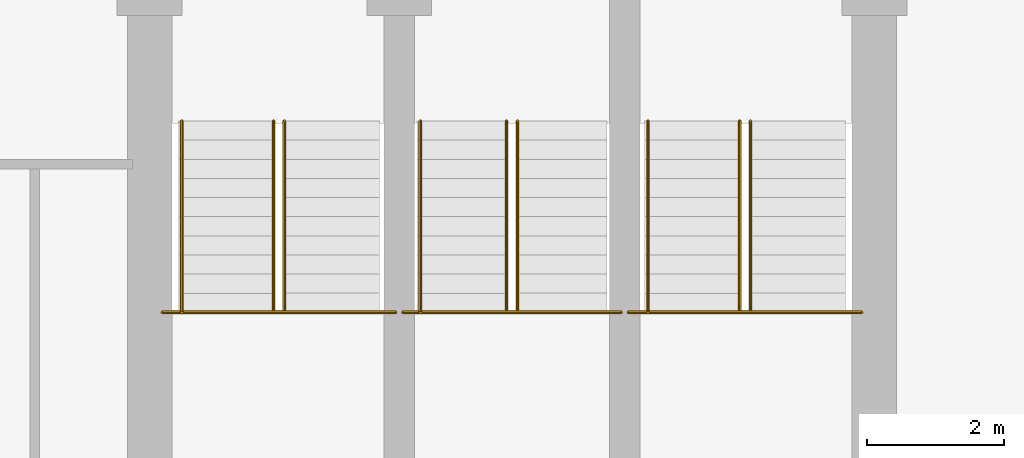
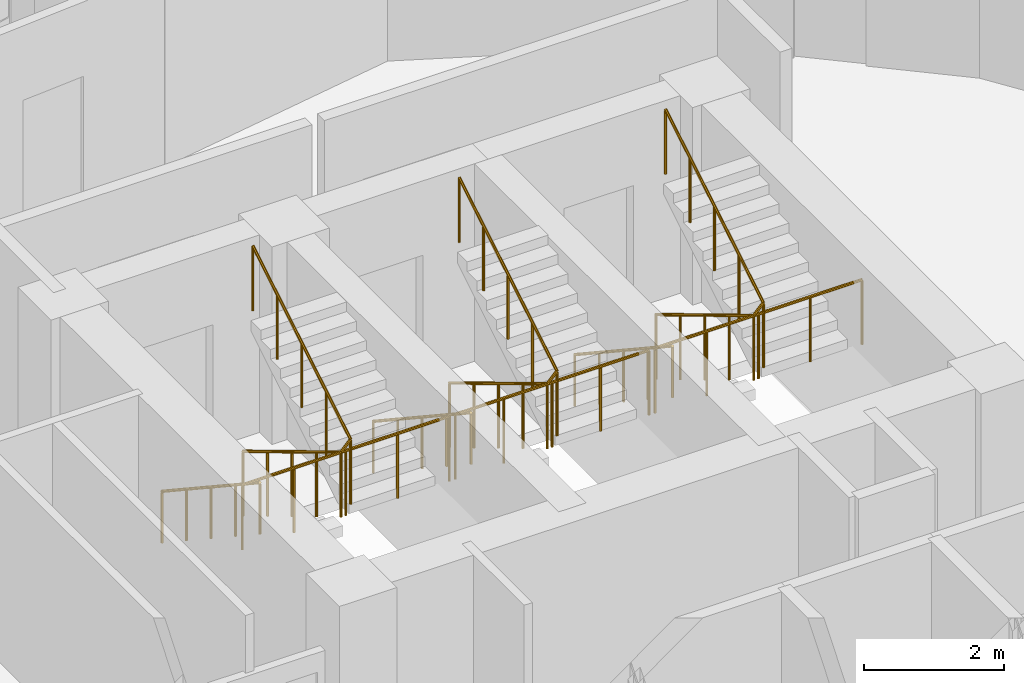
# One storey, part 26 of 26: 9 railings.
"""IFC4 building model written with IfcOpenShell, lengths in metres."""

from ifc_helpers import new_model, si_unit, direction, frame, origin, place, context, subcontext, project, spatial, polyline, outline, extrude, material, type_object, element, save


model = new_model("IFC4")

# Units and contexts
model_context = context("Model", 3, precision=1e-05, world=origin(), true_north=direction((0.0, 1.0)))
body_context = subcontext(model_context, "Body", "Model", "MODEL_VIEW")
ifc_project = project(units=[si_unit("LENGTHUNIT", "METRE"), si_unit("AREAUNIT", "SQUARE_METRE"), si_unit("VOLUMEUNIT", "CUBIC_METRE"), si_unit("PLANEANGLEUNIT", "RADIAN"), si_unit("MASSUNIT", "GRAM", prefix="KILO")], contexts=[model_context])

# Site, building, storey
site_placement = place(None, origin())
site = spatial("IfcSite", under=ifc_project, at=site_placement, CompositionType="ELEMENT")
building_placement = place(site_placement, origin())
building = spatial("IfcBuilding", under=site, at=building_placement, Name="Nuhasar Tower", CompositionType="ELEMENT")
storey_placement = place(building_placement, frame((0.0, 0.0, 181.14990234375)))
storey = spatial("IfcBuildingStorey", under=building, at=storey_placement, Name="L44", CompositionType="ELEMENT", Elevation=181.14990234375)

# Railings
ifc_material_1 = material(Name="Steel S355", Category="steel")
railing_type_1 = type_object("IfcRailingType", Name="RLG-STAIR-GUARD-1150", PredefinedType="GUARDRAIL", material=ifc_material_1)
railing_1_placement = place(storey_placement, frame((33.8798828125, 32.485107421875, 1.85009765625)))
element("IfcRailing", 1, at=railing_1_placement, inside=storey, type_object=railing_type_1, Name="L44 Stair ST-01 Guardrail LND", PredefinedType="GUARDRAIL", context=body_context, shape_type="SweptSolid", body=[
    extrude(outline(polyline([(0.024169921875, 0.0), (0.01708984375, 0.01708984375), (0.0, 0.024169921875), (-0.01708984375, 0.01708984375), (-0.024169921875, 0.0), (-0.01708984375, -0.01708984375), (0.0, -0.024169921875), (0.01708984375, -0.01708984375), (0.024169921875, 0.0)])), frame((0.0, 0.0, 1.1259765625), z_axis=(1.0, 0.0, 0.0), x_axis=(0.0, 1.0, 0.0)), (0.0, 0.0, 1.0), 3.420166015625),
    extrude(outline(polyline([(0.02099609375, 0.0), (0.014892578125, 0.014892578125), (0.0, 0.02099609375), (-0.014892578125, 0.014892578125), (-0.02099609375, 0.0), (-0.014892578125, -0.014892578125), (0.0, -0.02099609375), (0.014892578125, -0.014892578125), (0.02099609375, 0.0)])), origin(), (0.0, 0.0, 1.0), 1.101806640625),
    extrude(outline(polyline([(0.02099609375, 0.0), (0.014892578125, 0.014892578125), (0.0, 0.02099609375), (-0.014892578125, 0.014892578125), (-0.02099609375, 0.0), (-0.014892578125, -0.014892578125), (0.0, -0.02099609375), (0.014892578125, -0.014892578125), (0.02099609375, 0.0)])), frame((0.85498046875, 0.0, 0.0)), (0.0, 0.0, 1.0), 1.101806640625),
    extrude(outline(polyline([(0.02099609375, 0.0), (0.014892578125, 0.014892578125), (0.0, 0.02099609375), (-0.014892578125, 0.014892578125), (-0.02099609375, 0.0), (-0.014892578125, -0.014892578125), (0.0, -0.02099609375), (0.014892578125, -0.014892578125), (0.02099609375, 0.0)])), frame((1.7099609375, 0.0, 0.0)), (0.0, 0.0, 1.0), 1.101806640625),
    extrude(outline(polyline([(0.02099609375, 0.0), (0.014892578125, 0.014892578125), (0.0, 0.02099609375), (-0.014892578125, 0.014892578125), (-0.02099609375, 0.0), (-0.014892578125, -0.014892578125), (0.0, -0.02099609375), (0.014892578125, -0.014892578125), (0.02099609375, 0.0)])), frame((2.565185546875, 0.0, 0.0)), (0.0, 0.0, 1.0), 1.101806640625),
    extrude(outline(polyline([(0.02099609375, 0.0), (0.014892578125, 0.014892578125), (0.0, 0.02099609375), (-0.014892578125, 0.014892578125), (-0.02099609375, 0.0), (-0.014892578125, -0.014892578125), (0.0, -0.02099609375), (0.014892578125, -0.014892578125), (0.02099609375, 0.0)])), frame((3.420166015625, 0.0, 0.0)), (0.0, 0.0, 1.0), 1.101806640625),
])
railing_2_placement = place(storey_placement, frame((35.510009765625, 35.284912109375, 0.168212890625)))
element("IfcRailing", 2, at=railing_2_placement, inside=storey, type_object=railing_type_1, Name="L44 Stair ST-01 Guardrail SLT", PredefinedType="GUARDRAIL", context=body_context, shape_type="SweptSolid", body=[
    extrude(outline(polyline([(0.024169921875, 0.0), (0.01708984375, 0.01708984375), (0.0, 0.024169921875), (-0.01708984375, 0.01708984375), (-0.024169921875, 0.0), (-0.01708984375, -0.01708984375), (0.0, -0.024169921875), (0.01708984375, -0.01708984375), (0.024169921875, 0.0)])), frame((0.0, 0.0, 1.1259765625), z_axis=(0.0, -0.857222391501, 0.514946377315), x_axis=(1.0, 0.0, 0.0)), (0.0, 0.0, 1.0), 3.26611328125),
    extrude(outline(polyline([(0.024169921875, 0.0), (0.01708984375, 0.01708984375), (0.0, 0.024169921875), (-0.01708984375, 0.01708984375), (-0.024169921875, 0.0), (-0.01708984375, -0.01708984375), (0.0, -0.024169921875), (0.01708984375, -0.01708984375), (0.024169921875, 0.0)])), frame((0.0, -2.7998046875, 2.8076171875), z_axis=(0.689523729023, 0.0, 0.72426309247), x_axis=(0.0, 1.0, 0.0)), (0.0, 0.0, 1.0), 0.23193359375),
    extrude(outline(polyline([(0.024169921875, 0.0), (0.01708984375, 0.01708984375), (0.0, 0.024169921875), (-0.01708984375, 0.01708984375), (-0.024169921875, 0.0), (-0.01708984375, -0.01708984375), (0.0, -0.024169921875), (0.01708984375, -0.01708984375), (0.024169921875, 0.0)])), frame((0.159912109375, -2.7998046875, 2.9755859375), z_axis=(0.0, 0.857189395008, 0.515001302023), x_axis=(-1.0, 0.0, 0.0)), (0.0, 0.0, 1.0), 3.266357421875),
    extrude(outline(polyline([(0.02099609375, 0.0), (0.014892578125, 0.014892578125), (0.0, 0.02099609375), (-0.014892578125, 0.014892578125), (-0.02099609375, 0.0), (-0.014892578125, -0.014892578125), (0.0, -0.02099609375), (0.014892578125, -0.014892578125), (0.02099609375, 0.0)])), origin(), (0.0, 0.0, 1.0), 1.101806640625),
    extrude(outline(polyline([(0.02099609375, 0.0), (0.014892578125, 0.014892578125), (0.0, 0.02099609375), (-0.014892578125, 0.014892578125), (-0.02099609375, 0.0), (-0.014892578125, -0.014892578125), (0.0, -0.02099609375), (0.014892578125, -0.014892578125), (0.02099609375, 0.0)])), frame((0.0, -0.699951171875, 0.42041015625)), (0.0, 0.0, 1.0), 1.101806640625),
    extrude(outline(polyline([(0.02099609375, 0.0), (0.014892578125, 0.014892578125), (0.0, 0.02099609375), (-0.014892578125, 0.014892578125), (-0.02099609375, 0.0), (-0.014892578125, -0.014892578125), (0.0, -0.02099609375), (0.014892578125, -0.014892578125), (0.02099609375, 0.0)])), frame((0.0, -1.39990234375, 0.8408203125)), (0.0, 0.0, 1.0), 1.101806640625),
    extrude(outline(polyline([(0.02099609375, 0.0), (0.014892578125, 0.014892578125), (0.0, 0.02099609375), (-0.014892578125, 0.014892578125), (-0.02099609375, 0.0), (-0.014892578125, -0.014892578125), (0.0, -0.02099609375), (0.014892578125, -0.014892578125), (0.02099609375, 0.0)])), frame((0.0, -2.099853515625, 1.261474609375)), (0.0, 0.0, 1.0), 1.101806640625),
    extrude(outline(polyline([(0.02099609375, 0.0), (0.014892578125, 0.014892578125), (0.0, 0.02099609375), (-0.014892578125, 0.014892578125), (-0.02099609375, 0.0), (-0.014892578125, -0.014892578125), (0.0, -0.02099609375), (0.014892578125, -0.014892578125), (0.02099609375, 0.0)])), frame((0.0, -2.7998046875, 1.681884765625)), (0.0, 0.0, 1.0), 1.101806640625),
    extrude(outline(polyline([(0.02099609375, 0.0), (0.014892578125, 0.014892578125), (0.0, 0.02099609375), (-0.014892578125, 0.014892578125), (-0.02099609375, 0.0), (-0.014892578125, -0.014892578125), (0.0, -0.02099609375), (0.014892578125, -0.014892578125), (0.02099609375, 0.0)])), frame((0.159912109375, -2.7998046875, 1.849853515625)), (0.0, 0.0, 1.0), 1.101806640625),
    extrude(outline(polyline([(0.02099609375, 0.0), (0.014892578125, 0.014892578125), (0.0, 0.02099609375), (-0.014892578125, 0.014892578125), (-0.02099609375, 0.0), (-0.014892578125, -0.014892578125), (0.0, -0.02099609375), (0.014892578125, -0.014892578125), (0.02099609375, 0.0)])), frame((0.159912109375, -2.099853515625, 2.2705078125)), (0.0, 0.0, 1.0), 1.101806640625),
    extrude(outline(polyline([(0.02099609375, 0.0), (0.014892578125, 0.014892578125), (0.0, 0.02099609375), (-0.014892578125, 0.014892578125), (-0.02099609375, 0.0), (-0.014892578125, -0.014892578125), (0.0, -0.02099609375), (0.014892578125, -0.014892578125), (0.02099609375, 0.0)])), frame((0.159912109375, -1.39990234375, 2.69091796875)), (0.0, 0.0, 1.0), 1.101806640625),
    extrude(outline(polyline([(0.02099609375, 0.0), (0.014892578125, 0.014892578125), (0.0, 0.02099609375), (-0.014892578125, 0.014892578125), (-0.02099609375, 0.0), (-0.014892578125, -0.014892578125), (0.0, -0.02099609375), (0.014892578125, -0.014892578125), (0.02099609375, 0.0)])), frame((0.159912109375, -0.699951171875, 3.111328125)), (0.0, 0.0, 1.0), 1.101806640625),
    extrude(outline(polyline([(0.02099609375, 0.0), (0.014892578125, 0.014892578125), (0.0, 0.02099609375), (-0.014892578125, 0.014892578125), (-0.02099609375, 0.0), (-0.014892578125, -0.014892578125), (0.0, -0.02099609375), (0.014892578125, -0.014892578125), (0.02099609375, 0.0)])), frame((0.159912109375, 0.0, 3.531982421875)), (0.0, 0.0, 1.0), 1.101806640625),
])
railing_3_placement = place(storey_placement, frame((37.39990234375, 32.485107421875, 1.85009765625)))
element("IfcRailing", 3, at=railing_3_placement, inside=storey, type_object=railing_type_1, Name="L44 Stair ST-03 Guardrail LND", PredefinedType="GUARDRAIL", context=body_context, shape_type="SweptSolid", body=[
    extrude(outline(polyline([(0.024169921875, 0.0), (0.01708984375, 0.01708984375), (0.0, 0.024169921875), (-0.01708984375, 0.01708984375), (-0.024169921875, 0.0), (-0.01708984375, -0.01708984375), (0.0, -0.024169921875), (0.01708984375, -0.01708984375), (0.024169921875, 0.0)])), frame((0.0, 0.0, 1.1259765625), z_axis=(1.0, 0.0, 0.0), x_axis=(0.0, 1.0, 0.0)), (0.0, 0.0, 1.0), 3.2001953125),
    extrude(outline(polyline([(0.02099609375, 0.0), (0.014892578125, 0.014892578125), (0.0, 0.02099609375), (-0.014892578125, 0.014892578125), (-0.02099609375, 0.0), (-0.014892578125, -0.014892578125), (0.0, -0.02099609375), (0.014892578125, -0.014892578125), (0.02099609375, 0.0)])), origin(), (0.0, 0.0, 1.0), 1.101806640625),
    extrude(outline(polyline([(0.02099609375, 0.0), (0.014892578125, 0.014892578125), (0.0, 0.02099609375), (-0.014892578125, 0.014892578125), (-0.02099609375, 0.0), (-0.014892578125, -0.014892578125), (0.0, -0.02099609375), (0.014892578125, -0.014892578125), (0.02099609375, 0.0)])), frame((0.800048828125, 0.0, 0.0)), (0.0, 0.0, 1.0), 1.101806640625),
    extrude(outline(polyline([(0.02099609375, 0.0), (0.014892578125, 0.014892578125), (0.0, 0.02099609375), (-0.014892578125, 0.014892578125), (-0.02099609375, 0.0), (-0.014892578125, -0.014892578125), (0.0, -0.02099609375), (0.014892578125, -0.014892578125), (0.02099609375, 0.0)])), frame((1.60009765625, 0.0, 0.0)), (0.0, 0.0, 1.0), 1.101806640625),
    extrude(outline(polyline([(0.02099609375, 0.0), (0.014892578125, 0.014892578125), (0.0, 0.02099609375), (-0.014892578125, 0.014892578125), (-0.02099609375, 0.0), (-0.014892578125, -0.014892578125), (0.0, -0.02099609375), (0.014892578125, -0.014892578125), (0.02099609375, 0.0)])), frame((2.400146484375, 0.0, 0.0)), (0.0, 0.0, 1.0), 1.101806640625),
    extrude(outline(polyline([(0.02099609375, 0.0), (0.014892578125, 0.014892578125), (0.0, 0.02099609375), (-0.014892578125, 0.014892578125), (-0.02099609375, 0.0), (-0.014892578125, -0.014892578125), (0.0, -0.02099609375), (0.014892578125, -0.014892578125), (0.02099609375, 0.0)])), frame((3.2001953125, 0.0, 0.0)), (0.0, 0.0, 1.0), 1.101806640625),
])
railing_4_placement = place(storey_placement, frame((38.919921875, 35.284912109375, 0.168212890625)))
element("IfcRailing", 4, at=railing_4_placement, inside=storey, type_object=railing_type_1, Name="L44 Stair ST-03 Guardrail SLT", PredefinedType="GUARDRAIL", context=body_context, shape_type="SweptSolid", body=[
    extrude(outline(polyline([(0.024169921875, 0.0), (0.01708984375, 0.01708984375), (0.0, 0.024169921875), (-0.01708984375, 0.01708984375), (-0.024169921875, 0.0), (-0.01708984375, -0.01708984375), (0.0, -0.024169921875), (0.01708984375, -0.01708984375), (0.024169921875, 0.0)])), frame((0.0, 0.0, 1.1259765625), z_axis=(0.0, -0.857222391501, 0.514946377315), x_axis=(1.0, 0.0, 0.0)), (0.0, 0.0, 1.0), 3.26611328125),
    extrude(outline(polyline([(0.024169921875, 0.0), (0.01708984375, 0.01708984375), (0.0, 0.024169921875), (-0.01708984375, 0.01708984375), (-0.024169921875, 0.0), (-0.01708984375, -0.01708984375), (0.0, -0.024169921875), (0.01708984375, -0.01708984375), (0.024169921875, 0.0)])), frame((0.0, -2.7998046875, 2.8076171875), z_axis=(0.690075333573, 0.0, 0.723737544967), x_axis=(0.0, 1.0, 0.0)), (0.0, 0.0, 1.0), 0.232177734375),
    extrude(outline(polyline([(0.024169921875, 0.0), (0.01708984375, 0.01708984375), (0.0, 0.024169921875), (-0.01708984375, 0.01708984375), (-0.024169921875, 0.0), (-0.01708984375, -0.01708984375), (0.0, -0.024169921875), (0.01708984375, -0.01708984375), (0.024169921875, 0.0)])), frame((0.16015625, -2.7998046875, 2.9755859375), z_axis=(0.0, 0.857189395008, 0.515001302023), x_axis=(-1.0, 0.0, 0.0)), (0.0, 0.0, 1.0), 3.266357421875),
    extrude(outline(polyline([(0.02099609375, 0.0), (0.014892578125, 0.014892578125), (0.0, 0.02099609375), (-0.014892578125, 0.014892578125), (-0.02099609375, 0.0), (-0.014892578125, -0.014892578125), (0.0, -0.02099609375), (0.014892578125, -0.014892578125), (0.02099609375, 0.0)])), origin(), (0.0, 0.0, 1.0), 1.101806640625),
    extrude(outline(polyline([(0.02099609375, 0.0), (0.014892578125, 0.014892578125), (0.0, 0.02099609375), (-0.014892578125, 0.014892578125), (-0.02099609375, 0.0), (-0.014892578125, -0.014892578125), (0.0, -0.02099609375), (0.014892578125, -0.014892578125), (0.02099609375, 0.0)])), frame((0.0, -0.699951171875, 0.42041015625)), (0.0, 0.0, 1.0), 1.101806640625),
    extrude(outline(polyline([(0.02099609375, 0.0), (0.014892578125, 0.014892578125), (0.0, 0.02099609375), (-0.014892578125, 0.014892578125), (-0.02099609375, 0.0), (-0.014892578125, -0.014892578125), (0.0, -0.02099609375), (0.014892578125, -0.014892578125), (0.02099609375, 0.0)])), frame((0.0, -1.39990234375, 0.8408203125)), (0.0, 0.0, 1.0), 1.101806640625),
    extrude(outline(polyline([(0.02099609375, 0.0), (0.014892578125, 0.014892578125), (0.0, 0.02099609375), (-0.014892578125, 0.014892578125), (-0.02099609375, 0.0), (-0.014892578125, -0.014892578125), (0.0, -0.02099609375), (0.014892578125, -0.014892578125), (0.02099609375, 0.0)])), frame((0.0, -2.099853515625, 1.261474609375)), (0.0, 0.0, 1.0), 1.101806640625),
    extrude(outline(polyline([(0.02099609375, 0.0), (0.014892578125, 0.014892578125), (0.0, 0.02099609375), (-0.014892578125, 0.014892578125), (-0.02099609375, 0.0), (-0.014892578125, -0.014892578125), (0.0, -0.02099609375), (0.014892578125, -0.014892578125), (0.02099609375, 0.0)])), frame((0.0, -2.7998046875, 1.681884765625)), (0.0, 0.0, 1.0), 1.101806640625),
    extrude(outline(polyline([(0.02099609375, 0.0), (0.014892578125, 0.014892578125), (0.0, 0.02099609375), (-0.014892578125, 0.014892578125), (-0.02099609375, 0.0), (-0.014892578125, -0.014892578125), (0.0, -0.02099609375), (0.014892578125, -0.014892578125), (0.02099609375, 0.0)])), frame((0.16015625, -2.7998046875, 1.849853515625)), (0.0, 0.0, 1.0), 1.101806640625),
    extrude(outline(polyline([(0.02099609375, 0.0), (0.014892578125, 0.014892578125), (0.0, 0.02099609375), (-0.014892578125, 0.014892578125), (-0.02099609375, 0.0), (-0.014892578125, -0.014892578125), (0.0, -0.02099609375), (0.014892578125, -0.014892578125), (0.02099609375, 0.0)])), frame((0.16015625, -2.099853515625, 2.2705078125)), (0.0, 0.0, 1.0), 1.101806640625),
    extrude(outline(polyline([(0.02099609375, 0.0), (0.014892578125, 0.014892578125), (0.0, 0.02099609375), (-0.014892578125, 0.014892578125), (-0.02099609375, 0.0), (-0.014892578125, -0.014892578125), (0.0, -0.02099609375), (0.014892578125, -0.014892578125), (0.02099609375, 0.0)])), frame((0.16015625, -1.39990234375, 2.69091796875)), (0.0, 0.0, 1.0), 1.101806640625),
    extrude(outline(polyline([(0.02099609375, 0.0), (0.014892578125, 0.014892578125), (0.0, 0.02099609375), (-0.014892578125, 0.014892578125), (-0.02099609375, 0.0), (-0.014892578125, -0.014892578125), (0.0, -0.02099609375), (0.014892578125, -0.014892578125), (0.02099609375, 0.0)])), frame((0.16015625, -0.699951171875, 3.111328125)), (0.0, 0.0, 1.0), 1.101806640625),
    extrude(outline(polyline([(0.02099609375, 0.0), (0.014892578125, 0.014892578125), (0.0, 0.02099609375), (-0.014892578125, 0.014892578125), (-0.02099609375, 0.0), (-0.014892578125, -0.014892578125), (0.0, -0.02099609375), (0.014892578125, -0.014892578125), (0.02099609375, 0.0)])), frame((0.16015625, 0.0, 3.531982421875)), (0.0, 0.0, 1.0), 1.101806640625),
])
railing_5_placement = place(storey_placement, frame((40.699951171875, 32.485107421875, 1.85009765625)))
element("IfcRailing", 5, at=railing_5_placement, inside=storey, type_object=railing_type_1, Name="L44 Stair ST-02 Guardrail LND", PredefinedType="GUARDRAIL", context=body_context, shape_type="SweptSolid", body=[
    extrude(outline(polyline([(0.024169921875, 0.0), (0.01708984375, 0.01708984375), (0.0, 0.024169921875), (-0.01708984375, 0.01708984375), (-0.024169921875, 0.0), (-0.01708984375, -0.01708984375), (0.0, -0.024169921875), (0.01708984375, -0.01708984375), (0.024169921875, 0.0)])), frame((0.0, 0.0, 1.1259765625), z_axis=(1.0, 0.0, 0.0), x_axis=(0.0, 1.0, 0.0)), (0.0, 0.0, 1.0), 3.420166015625),
    extrude(outline(polyline([(0.02099609375, 0.0), (0.014892578125, 0.014892578125), (0.0, 0.02099609375), (-0.014892578125, 0.014892578125), (-0.02099609375, 0.0), (-0.014892578125, -0.014892578125), (0.0, -0.02099609375), (0.014892578125, -0.014892578125), (0.02099609375, 0.0)])), origin(), (0.0, 0.0, 1.0), 1.101806640625),
    extrude(outline(polyline([(0.02099609375, 0.0), (0.014892578125, 0.014892578125), (0.0, 0.02099609375), (-0.014892578125, 0.014892578125), (-0.02099609375, 0.0), (-0.014892578125, -0.014892578125), (0.0, -0.02099609375), (0.014892578125, -0.014892578125), (0.02099609375, 0.0)])), frame((0.85498046875, 0.0, 0.0)), (0.0, 0.0, 1.0), 1.101806640625),
    extrude(outline(polyline([(0.02099609375, 0.0), (0.014892578125, 0.014892578125), (0.0, 0.02099609375), (-0.014892578125, 0.014892578125), (-0.02099609375, 0.0), (-0.014892578125, -0.014892578125), (0.0, -0.02099609375), (0.014892578125, -0.014892578125), (0.02099609375, 0.0)])), frame((1.7099609375, 0.0, 0.0)), (0.0, 0.0, 1.0), 1.101806640625),
    extrude(outline(polyline([(0.02099609375, 0.0), (0.014892578125, 0.014892578125), (0.0, 0.02099609375), (-0.014892578125, 0.014892578125), (-0.02099609375, 0.0), (-0.014892578125, -0.014892578125), (0.0, -0.02099609375), (0.014892578125, -0.014892578125), (0.02099609375, 0.0)])), frame((2.565185546875, 0.0, 0.0)), (0.0, 0.0, 1.0), 1.101806640625),
    extrude(outline(polyline([(0.02099609375, 0.0), (0.014892578125, 0.014892578125), (0.0, 0.02099609375), (-0.014892578125, 0.014892578125), (-0.02099609375, 0.0), (-0.014892578125, -0.014892578125), (0.0, -0.02099609375), (0.014892578125, -0.014892578125), (0.02099609375, 0.0)])), frame((3.420166015625, 0.0, 0.0)), (0.0, 0.0, 1.0), 1.101806640625),
])
railing_6_placement = place(storey_placement, frame((42.330078125, 35.284912109375, 0.168212890625)))
element("IfcRailing", 6, at=railing_6_placement, inside=storey, type_object=railing_type_1, Name="L44 Stair ST-02 Guardrail SLT", PredefinedType="GUARDRAIL", context=body_context, shape_type="SweptSolid", body=[
    extrude(outline(polyline([(0.024169921875, 0.0), (0.01708984375, 0.01708984375), (0.0, 0.024169921875), (-0.01708984375, 0.01708984375), (-0.024169921875, 0.0), (-0.01708984375, -0.01708984375), (0.0, -0.024169921875), (0.01708984375, -0.01708984375), (0.024169921875, 0.0)])), frame((0.0, 0.0, 1.1259765625), z_axis=(0.0, -0.857222391501, 0.514946377315), x_axis=(1.0, 0.0, 0.0)), (0.0, 0.0, 1.0), 3.26611328125),
    extrude(outline(polyline([(0.024169921875, 0.0), (0.01708984375, 0.01708984375), (0.0, 0.024169921875), (-0.01708984375, 0.01708984375), (-0.024169921875, 0.0), (-0.01708984375, -0.01708984375), (0.0, -0.024169921875), (0.01708984375, -0.01708984375), (0.024169921875, 0.0)])), frame((0.0, -2.7998046875, 2.8076171875), z_axis=(0.689523729023, 0.0, 0.72426309247), x_axis=(0.0, 1.0, 0.0)), (0.0, 0.0, 1.0), 0.23193359375),
    extrude(outline(polyline([(0.024169921875, 0.0), (0.01708984375, 0.01708984375), (0.0, 0.024169921875), (-0.01708984375, 0.01708984375), (-0.024169921875, 0.0), (-0.01708984375, -0.01708984375), (0.0, -0.024169921875), (0.01708984375, -0.01708984375), (0.024169921875, 0.0)])), frame((0.159912109375, -2.7998046875, 2.9755859375), z_axis=(0.0, 0.857189395008, 0.515001302023), x_axis=(-1.0, 0.0, 0.0)), (0.0, 0.0, 1.0), 3.266357421875),
    extrude(outline(polyline([(0.02099609375, 0.0), (0.014892578125, 0.014892578125), (0.0, 0.02099609375), (-0.014892578125, 0.014892578125), (-0.02099609375, 0.0), (-0.014892578125, -0.014892578125), (0.0, -0.02099609375), (0.014892578125, -0.014892578125), (0.02099609375, 0.0)])), origin(), (0.0, 0.0, 1.0), 1.101806640625),
    extrude(outline(polyline([(0.02099609375, 0.0), (0.014892578125, 0.014892578125), (0.0, 0.02099609375), (-0.014892578125, 0.014892578125), (-0.02099609375, 0.0), (-0.014892578125, -0.014892578125), (0.0, -0.02099609375), (0.014892578125, -0.014892578125), (0.02099609375, 0.0)])), frame((0.0, -0.699951171875, 0.42041015625)), (0.0, 0.0, 1.0), 1.101806640625),
    extrude(outline(polyline([(0.02099609375, 0.0), (0.014892578125, 0.014892578125), (0.0, 0.02099609375), (-0.014892578125, 0.014892578125), (-0.02099609375, 0.0), (-0.014892578125, -0.014892578125), (0.0, -0.02099609375), (0.014892578125, -0.014892578125), (0.02099609375, 0.0)])), frame((0.0, -1.39990234375, 0.8408203125)), (0.0, 0.0, 1.0), 1.101806640625),
    extrude(outline(polyline([(0.02099609375, 0.0), (0.014892578125, 0.014892578125), (0.0, 0.02099609375), (-0.014892578125, 0.014892578125), (-0.02099609375, 0.0), (-0.014892578125, -0.014892578125), (0.0, -0.02099609375), (0.014892578125, -0.014892578125), (0.02099609375, 0.0)])), frame((0.0, -2.099853515625, 1.261474609375)), (0.0, 0.0, 1.0), 1.101806640625),
    extrude(outline(polyline([(0.02099609375, 0.0), (0.014892578125, 0.014892578125), (0.0, 0.02099609375), (-0.014892578125, 0.014892578125), (-0.02099609375, 0.0), (-0.014892578125, -0.014892578125), (0.0, -0.02099609375), (0.014892578125, -0.014892578125), (0.02099609375, 0.0)])), frame((0.0, -2.7998046875, 1.681884765625)), (0.0, 0.0, 1.0), 1.101806640625),
    extrude(outline(polyline([(0.02099609375, 0.0), (0.014892578125, 0.014892578125), (0.0, 0.02099609375), (-0.014892578125, 0.014892578125), (-0.02099609375, 0.0), (-0.014892578125, -0.014892578125), (0.0, -0.02099609375), (0.014892578125, -0.014892578125), (0.02099609375, 0.0)])), frame((0.159912109375, -2.7998046875, 1.849853515625)), (0.0, 0.0, 1.0), 1.101806640625),
    extrude(outline(polyline([(0.02099609375, 0.0), (0.014892578125, 0.014892578125), (0.0, 0.02099609375), (-0.014892578125, 0.014892578125), (-0.02099609375, 0.0), (-0.014892578125, -0.014892578125), (0.0, -0.02099609375), (0.014892578125, -0.014892578125), (0.02099609375, 0.0)])), frame((0.159912109375, -2.099853515625, 2.2705078125)), (0.0, 0.0, 1.0), 1.101806640625),
    extrude(outline(polyline([(0.02099609375, 0.0), (0.014892578125, 0.014892578125), (0.0, 0.02099609375), (-0.014892578125, 0.014892578125), (-0.02099609375, 0.0), (-0.014892578125, -0.014892578125), (0.0, -0.02099609375), (0.014892578125, -0.014892578125), (0.02099609375, 0.0)])), frame((0.159912109375, -1.39990234375, 2.69091796875)), (0.0, 0.0, 1.0), 1.101806640625),
    extrude(outline(polyline([(0.02099609375, 0.0), (0.014892578125, 0.014892578125), (0.0, 0.02099609375), (-0.014892578125, 0.014892578125), (-0.02099609375, 0.0), (-0.014892578125, -0.014892578125), (0.0, -0.02099609375), (0.014892578125, -0.014892578125), (0.02099609375, 0.0)])), frame((0.159912109375, -0.699951171875, 3.111328125)), (0.0, 0.0, 1.0), 1.101806640625),
    extrude(outline(polyline([(0.02099609375, 0.0), (0.014892578125, 0.014892578125), (0.0, 0.02099609375), (-0.014892578125, 0.014892578125), (-0.02099609375, 0.0), (-0.014892578125, -0.014892578125), (0.0, -0.02099609375), (0.014892578125, -0.014892578125), (0.02099609375, 0.0)])), frame((0.159912109375, 0.0, 3.531982421875)), (0.0, 0.0, 1.0), 1.101806640625),
])
ifc_material_2 = material(Name="Stainless Steel 316L", Category="steel")
railing_type_2 = type_object("IfcRailingType", Name="RLG-STAIR-HAND-920", PredefinedType="HANDRAIL", material=ifc_material_2)
railing_7_placement = place(storey_placement, frame((34.169921875, 35.284912109375, 0.168212890625)))
element("IfcRailing", 7, at=railing_7_placement, inside=storey, type_object=railing_type_2, Name="L44 Stair ST-01 Handrail HND1", PredefinedType="HANDRAIL", context=body_context, shape_type="SweptSolid", body=[
    extrude(outline(polyline([(0.024169921875, 0.0), (0.01708984375, 0.01708984375), (0.0, 0.024169921875), (-0.01708984375, 0.01708984375), (-0.024169921875, 0.0), (-0.01708984375, -0.01708984375), (0.0, -0.024169921875), (0.01708984375, -0.01708984375), (0.024169921875, 0.0)])), frame((0.0, 0.0, 0.89599609375), z_axis=(0.0, -0.834337710781, 0.551253647941), x_axis=(1.0, 0.0, 0.0)), (0.0, 0.0, 1.0), 3.355712890625),
    extrude(outline(polyline([(0.02099609375, 0.0), (0.014892578125, 0.014892578125), (0.0, 0.02099609375), (-0.014892578125, 0.014892578125), (-0.02099609375, 0.0), (-0.014892578125, -0.014892578125), (0.0, -0.02099609375), (0.014892578125, -0.014892578125), (0.02099609375, 0.0)])), origin(), (0.0, 0.0, 1.0), 0.871826171875),
    extrude(outline(polyline([(0.02099609375, 0.0), (0.014892578125, 0.014892578125), (0.0, 0.02099609375), (-0.014892578125, 0.014892578125), (-0.02099609375, 0.0), (-0.014892578125, -0.014892578125), (0.0, -0.02099609375), (0.014892578125, -0.014892578125), (0.02099609375, 0.0)])), frame((0.0, -0.699951171875, 0.46240234375)), (0.0, 0.0, 1.0), 0.871826171875),
    extrude(outline(polyline([(0.02099609375, 0.0), (0.014892578125, 0.014892578125), (0.0, 0.02099609375), (-0.014892578125, 0.014892578125), (-0.02099609375, 0.0), (-0.014892578125, -0.014892578125), (0.0, -0.02099609375), (0.014892578125, -0.014892578125), (0.02099609375, 0.0)])), frame((0.0, -1.39990234375, 0.9248046875)), (0.0, 0.0, 1.0), 0.871826171875),
    extrude(outline(polyline([(0.02099609375, 0.0), (0.014892578125, 0.014892578125), (0.0, 0.02099609375), (-0.014892578125, 0.014892578125), (-0.02099609375, 0.0), (-0.014892578125, -0.014892578125), (0.0, -0.02099609375), (0.014892578125, -0.014892578125), (0.02099609375, 0.0)])), frame((0.0, -2.099853515625, 1.387451171875)), (0.0, 0.0, 1.0), 0.871826171875),
    extrude(outline(polyline([(0.02099609375, 0.0), (0.014892578125, 0.014892578125), (0.0, 0.02099609375), (-0.014892578125, 0.014892578125), (-0.02099609375, 0.0), (-0.014892578125, -0.014892578125), (0.0, -0.02099609375), (0.014892578125, -0.014892578125), (0.02099609375, 0.0)])), frame((0.0, -2.7998046875, 1.849853515625)), (0.0, 0.0, 1.0), 0.871826171875),
])
railing_8_placement = place(storey_placement, frame((37.659912109375, 35.284912109375, 0.168212890625)))
element("IfcRailing", 8, at=railing_8_placement, inside=storey, type_object=railing_type_2, Name="L44 Stair ST-03 Handrail HND1", PredefinedType="HANDRAIL", context=body_context, shape_type="SweptSolid", body=[
    extrude(outline(polyline([(0.024169921875, 0.0), (0.01708984375, 0.01708984375), (0.0, 0.024169921875), (-0.01708984375, 0.01708984375), (-0.024169921875, 0.0), (-0.01708984375, -0.01708984375), (0.0, -0.024169921875), (0.01708984375, -0.01708984375), (0.024169921875, 0.0)])), frame((0.0, 0.0, 0.89599609375), z_axis=(0.0, -0.834337710781, 0.551253647941), x_axis=(1.0, 0.0, 0.0)), (0.0, 0.0, 1.0), 3.355712890625),
    extrude(outline(polyline([(0.02099609375, 0.0), (0.014892578125, 0.014892578125), (0.0, 0.02099609375), (-0.014892578125, 0.014892578125), (-0.02099609375, 0.0), (-0.014892578125, -0.014892578125), (0.0, -0.02099609375), (0.014892578125, -0.014892578125), (0.02099609375, 0.0)])), origin(), (0.0, 0.0, 1.0), 0.871826171875),
    extrude(outline(polyline([(0.02099609375, 0.0), (0.014892578125, 0.014892578125), (0.0, 0.02099609375), (-0.014892578125, 0.014892578125), (-0.02099609375, 0.0), (-0.014892578125, -0.014892578125), (0.0, -0.02099609375), (0.014892578125, -0.014892578125), (0.02099609375, 0.0)])), frame((0.0, -0.699951171875, 0.46240234375)), (0.0, 0.0, 1.0), 0.871826171875),
    extrude(outline(polyline([(0.02099609375, 0.0), (0.014892578125, 0.014892578125), (0.0, 0.02099609375), (-0.014892578125, 0.014892578125), (-0.02099609375, 0.0), (-0.014892578125, -0.014892578125), (0.0, -0.02099609375), (0.014892578125, -0.014892578125), (0.02099609375, 0.0)])), frame((0.0, -1.39990234375, 0.9248046875)), (0.0, 0.0, 1.0), 0.871826171875),
    extrude(outline(polyline([(0.02099609375, 0.0), (0.014892578125, 0.014892578125), (0.0, 0.02099609375), (-0.014892578125, 0.014892578125), (-0.02099609375, 0.0), (-0.014892578125, -0.014892578125), (0.0, -0.02099609375), (0.014892578125, -0.014892578125), (0.02099609375, 0.0)])), frame((0.0, -2.099853515625, 1.387451171875)), (0.0, 0.0, 1.0), 0.871826171875),
    extrude(outline(polyline([(0.02099609375, 0.0), (0.014892578125, 0.014892578125), (0.0, 0.02099609375), (-0.014892578125, 0.014892578125), (-0.02099609375, 0.0), (-0.014892578125, -0.014892578125), (0.0, -0.02099609375), (0.014892578125, -0.014892578125), (0.02099609375, 0.0)])), frame((0.0, -2.7998046875, 1.849853515625)), (0.0, 0.0, 1.0), 0.871826171875),
])
railing_9_placement = place(storey_placement, frame((40.989990234375, 35.284912109375, 0.168212890625)))
element("IfcRailing", 9, at=railing_9_placement, inside=storey, type_object=railing_type_2, Name="L44 Stair ST-02 Handrail HND1", PredefinedType="HANDRAIL", context=body_context, shape_type="SweptSolid", body=[
    extrude(outline(polyline([(0.024169921875, 0.0), (0.01708984375, 0.01708984375), (0.0, 0.024169921875), (-0.01708984375, 0.01708984375), (-0.024169921875, 0.0), (-0.01708984375, -0.01708984375), (0.0, -0.024169921875), (0.01708984375, -0.01708984375), (0.024169921875, 0.0)])), frame((0.0, 0.0, 0.89599609375), z_axis=(0.0, -0.834337710781, 0.551253647941), x_axis=(1.0, 0.0, 0.0)), (0.0, 0.0, 1.0), 3.355712890625),
    extrude(outline(polyline([(0.02099609375, 0.0), (0.014892578125, 0.014892578125), (0.0, 0.02099609375), (-0.014892578125, 0.014892578125), (-0.02099609375, 0.0), (-0.014892578125, -0.014892578125), (0.0, -0.02099609375), (0.014892578125, -0.014892578125), (0.02099609375, 0.0)])), origin(), (0.0, 0.0, 1.0), 0.871826171875),
    extrude(outline(polyline([(0.02099609375, 0.0), (0.014892578125, 0.014892578125), (0.0, 0.02099609375), (-0.014892578125, 0.014892578125), (-0.02099609375, 0.0), (-0.014892578125, -0.014892578125), (0.0, -0.02099609375), (0.014892578125, -0.014892578125), (0.02099609375, 0.0)])), frame((0.0, -0.699951171875, 0.46240234375)), (0.0, 0.0, 1.0), 0.871826171875),
    extrude(outline(polyline([(0.02099609375, 0.0), (0.014892578125, 0.014892578125), (0.0, 0.02099609375), (-0.014892578125, 0.014892578125), (-0.02099609375, 0.0), (-0.014892578125, -0.014892578125), (0.0, -0.02099609375), (0.014892578125, -0.014892578125), (0.02099609375, 0.0)])), frame((0.0, -1.39990234375, 0.9248046875)), (0.0, 0.0, 1.0), 0.871826171875),
    extrude(outline(polyline([(0.02099609375, 0.0), (0.014892578125, 0.014892578125), (0.0, 0.02099609375), (-0.014892578125, 0.014892578125), (-0.02099609375, 0.0), (-0.014892578125, -0.014892578125), (0.0, -0.02099609375), (0.014892578125, -0.014892578125), (0.02099609375, 0.0)])), frame((0.0, -2.099853515625, 1.387451171875)), (0.0, 0.0, 1.0), 0.871826171875),
    extrude(outline(polyline([(0.02099609375, 0.0), (0.014892578125, 0.014892578125), (0.0, 0.02099609375), (-0.014892578125, 0.014892578125), (-0.02099609375, 0.0), (-0.014892578125, -0.014892578125), (0.0, -0.02099609375), (0.014892578125, -0.014892578125), (0.02099609375, 0.0)])), frame((0.0, -2.7998046875, 1.849853515625)), (0.0, 0.0, 1.0), 0.871826171875),
])

save(model, "model.ifc")
